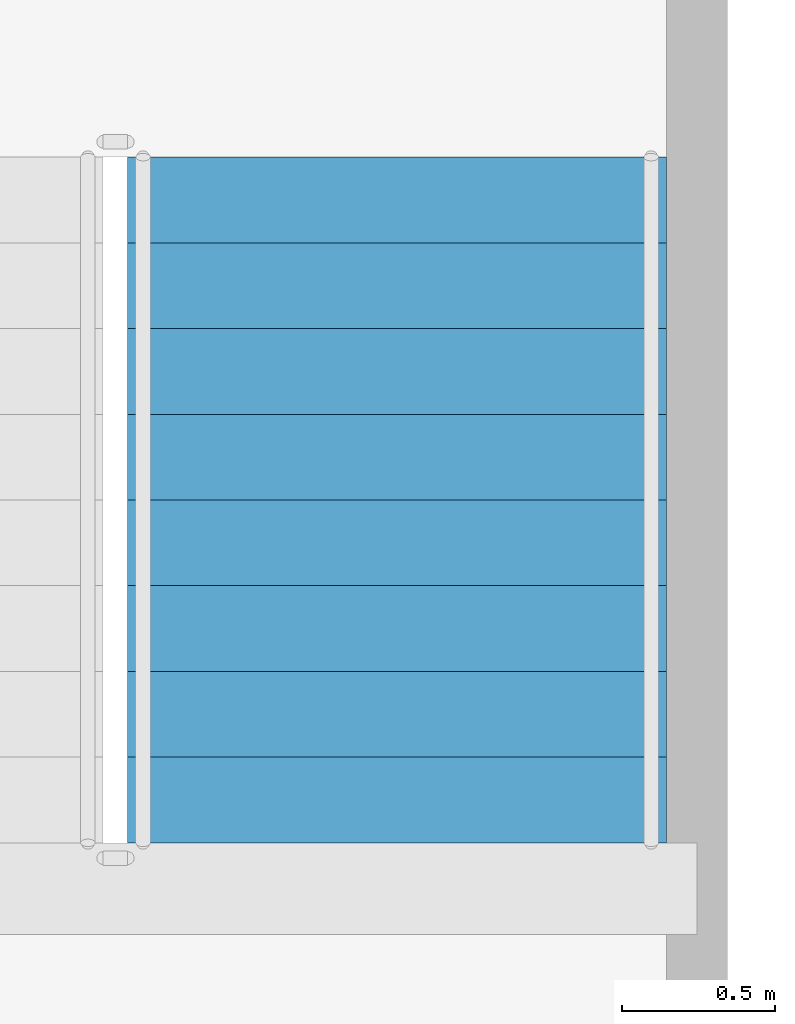
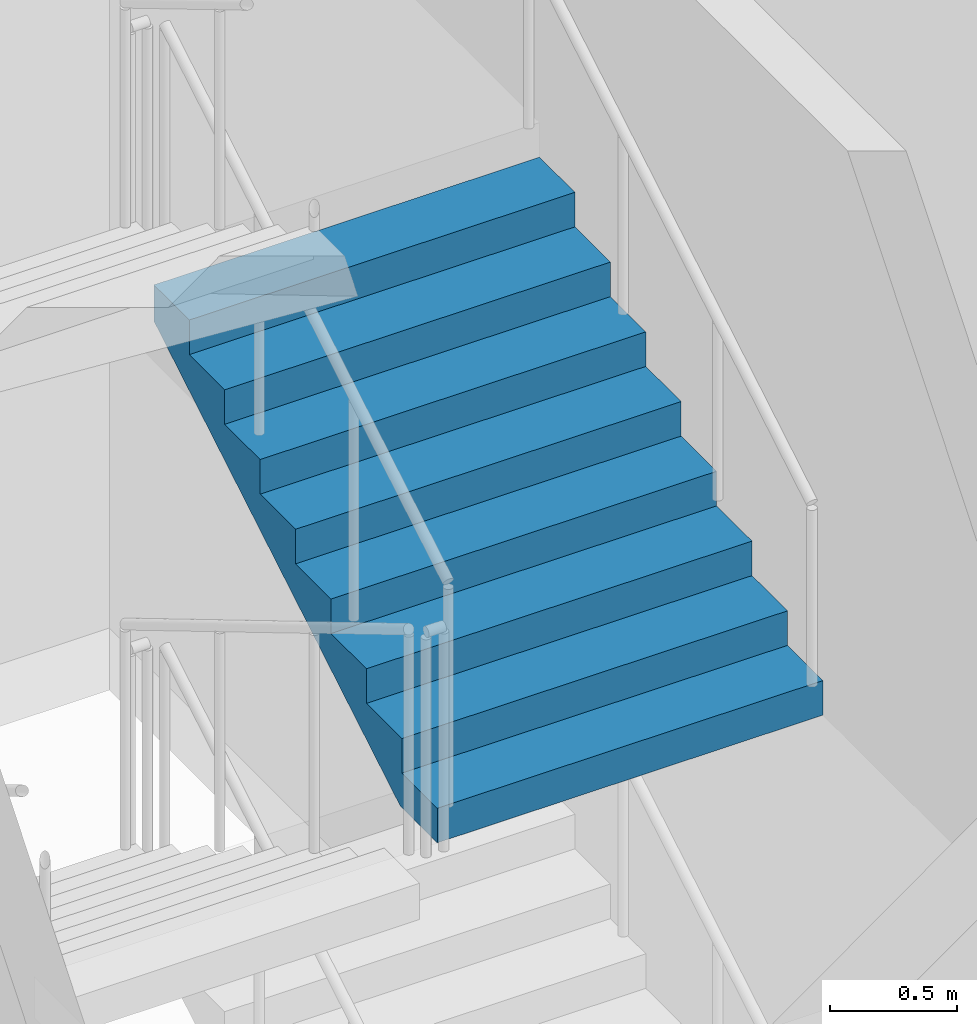
# One storey, part 27 of 33: 1 stair flight, 1 element without a shape of its own.
"""IFC4 building model written with IfcOpenShell, lengths in metres."""

from ifc_helpers import new_model, si_unit, direction, frame, origin, place, context, subcontext, project, spatial, faceted_brep, material, type_object, element, aggregate, save


model = new_model("IFC4")

# Units and contexts
model_context = context("Model", 3, precision=1e-05, world=origin(), true_north=direction((0.0, 1.0)))
body_context = subcontext(model_context, "Body", "Model", "MODEL_VIEW")
ifc_project = project(units=[si_unit("LENGTHUNIT", "METRE"), si_unit("AREAUNIT", "SQUARE_METRE"), si_unit("VOLUMEUNIT", "CUBIC_METRE"), si_unit("PLANEANGLEUNIT", "RADIAN"), si_unit("MASSUNIT", "GRAM", prefix="KILO")], contexts=[model_context])

# Site, building, storey
site_placement = place(None, origin())
site = spatial("IfcSite", under=ifc_project, at=site_placement, CompositionType="ELEMENT")
building_placement = place(site_placement, origin())
building = spatial("IfcBuilding", under=site, at=building_placement, Name="Tarsis Ring Headquarters", CompositionType="ELEMENT")
storey_placement = place(building_placement, frame((0.0, 0.0, 302.0)))
storey = spatial("IfcBuildingStorey", under=building, at=storey_placement, Name="L71", CompositionType="ELEMENT", Elevation=302.0)

# Stair, stair flight
ifc_material_1 = material(Name="Core stair 1760")
stair_type = type_object("IfcStairType", Name="Core stair 1760", PredefinedType="HALF_TURN_STAIR", material=ifc_material_1)
stair_placement = place(storey_placement, origin())
stair = element("IfcStair", 1, at=stair_placement, inside=storey, type_object=stair_type, Name="L71 Exit stair B", PredefinedType="HALF_TURN_STAIR")
ifc_material_2 = material(Name="Concrete C40/50", Category="concrete")
stair_flight_type = type_object("IfcStairFlightType", Name="Core stair flight 1760", PredefinedType="STRAIGHT", material=ifc_material_2)
stair_flight_placement = place(storey_placement, frame((5.419921875, 3.659912109375, 3.0), z_axis=(0.0, 0.0, 1.0), x_axis=(0.0, 1.0, 0.0)))
stair_flight = element("IfcStairFlight", 2, at=stair_flight_placement, type_object=stair_flight_type, Name="Stair ST2 flight 3", NumberOfRisers=9, NumberOfTreads=8, PredefinedType="STRAIGHT", RiserHeight=0.166666667, TreadLength=0.28, context=body_context, shape_type="Brep", body=[
    faceted_brep([(0.0, 0.8798828125, 0.0), (0.0, 0.8798828125, 0.166748046875), (0.280029296875, 0.8798828125, 0.166748046875), (0.280029296875, 0.8798828125, 0.333251953125), (0.56005859375, 0.8798828125, 0.333251953125), (0.56005859375, 0.8798828125, 0.5), (0.840087890625, 0.8798828125, 0.5), (0.840087890625, 0.8798828125, 0.666748046875), (1.1201171875, 0.8798828125, 0.666748046875), (1.1201171875, 0.8798828125, 0.833251953125), (1.39990234375, 0.8798828125, 0.833251953125), (1.39990234375, 0.8798828125, 1.0), (1.679931640625, 0.8798828125, 1.0), (1.679931640625, 0.8798828125, 1.166748046875), (1.9599609375, 0.8798828125, 1.166748046875), (1.9599609375, 0.8798828125, 1.333251953125), (2.239990234375, 0.8798828125, 1.333251953125), (2.239990234375, 0.8798828125, 1.158935546875), (0.29296875, 0.8798828125, 0.0), (0.29296875, -0.8798828125, 0.0), (2.239990234375, -0.8798828125, 1.158935546875), (2.239990234375, -0.8798828125, 1.333251953125), (1.9599609375, -0.8798828125, 1.333251953125), (1.9599609375, -0.8798828125, 1.166748046875), (1.679931640625, -0.8798828125, 1.166748046875), (1.679931640625, -0.8798828125, 1.0), (1.39990234375, -0.8798828125, 1.0), (1.39990234375, -0.8798828125, 0.833251953125), (1.1201171875, -0.8798828125, 0.833251953125), (1.1201171875, -0.8798828125, 0.666748046875), (0.840087890625, -0.8798828125, 0.666748046875), (0.840087890625, -0.8798828125, 0.5), (0.56005859375, -0.8798828125, 0.5), (0.56005859375, -0.8798828125, 0.333251953125), (0.280029296875, -0.8798828125, 0.333251953125), (0.280029296875, -0.8798828125, 0.166748046875), (0.0, -0.8798828125, 0.166748046875), (0.0, -0.8798828125, 0.0), (0.0, -0.43994140625, 0.166748046875), (0.0, -0.43994140625, 0.0), (0.0, 0.0, 0.166748046875), (0.0, 0.0, 0.0), (0.0, 0.43994140625, 0.166748046875), (0.0, 0.43994140625, 0.0), (0.280029296875, -0.43994140625, 0.166748046875), (0.280029296875, 0.0, 0.166748046875), (0.280029296875, 0.43994140625, 0.166748046875), (0.280029296875, -0.43994140625, 0.333251953125), (0.280029296875, 0.0, 0.333251953125), (0.280029296875, 0.43994140625, 0.333251953125), (0.56005859375, -0.43994140625, 0.333251953125), (0.56005859375, 0.0, 0.333251953125), (0.56005859375, 0.43994140625, 0.333251953125), (0.56005859375, -0.43994140625, 0.5), (0.56005859375, 0.0, 0.5), (0.56005859375, 0.43994140625, 0.5), (0.840087890625, -0.43994140625, 0.5), (0.840087890625, 0.0, 0.5), (0.840087890625, 0.43994140625, 0.5), (0.840087890625, -0.43994140625, 0.666748046875), (0.840087890625, 0.0, 0.666748046875), (0.840087890625, 0.43994140625, 0.666748046875), (1.1201171875, -0.43994140625, 0.666748046875), (1.1201171875, 0.0, 0.666748046875), (1.1201171875, 0.43994140625, 0.666748046875), (1.1201171875, -0.43994140625, 0.833251953125), (1.1201171875, 0.0, 0.833251953125), (1.1201171875, 0.43994140625, 0.833251953125), (1.39990234375, -0.43994140625, 0.833251953125), (1.39990234375, 0.0, 0.833251953125), (1.39990234375, 0.43994140625, 0.833251953125), (1.39990234375, -0.43994140625, 1.0), (1.39990234375, 0.0, 1.0), (1.39990234375, 0.43994140625, 1.0), (1.679931640625, -0.43994140625, 1.0), (1.679931640625, 0.0, 1.0), (1.679931640625, 0.43994140625, 1.0), (1.679931640625, -0.43994140625, 1.166748046875), (1.679931640625, 0.0, 1.166748046875), (1.679931640625, 0.43994140625, 1.166748046875), (1.9599609375, -0.43994140625, 1.166748046875), (1.9599609375, 0.0, 1.166748046875), (1.9599609375, 0.43994140625, 1.166748046875), (1.9599609375, -0.43994140625, 1.333251953125), (1.9599609375, 0.0, 1.333251953125), (1.9599609375, 0.43994140625, 1.333251953125), (2.239990234375, -0.43994140625, 1.333251953125), (2.239990234375, 0.0, 1.333251953125), (2.239990234375, 0.43994140625, 1.333251953125), (2.239990234375, -0.43994140625, 1.158935546875), (2.239990234375, 0.0, 1.158935546875), (2.239990234375, 0.43994140625, 1.158935546875), (0.29296875, -0.43994140625, 0.0), (0.29296875, 0.0, 0.0), (0.29296875, 0.43994140625, 0.0)], [[[0, 1, 2, 3, 4, 5, 6, 7, 8, 9, 10, 11, 12, 13, 14, 15, 16, 17, 18]], [[19, 20, 21, 22, 23, 24, 25, 26, 27, 28, 29, 30, 31, 32, 33, 34, 35, 36, 37]], [[37, 36, 38, 39]], [[39, 38, 40, 41]], [[41, 40, 42, 43]], [[43, 42, 1, 0]], [[36, 35, 44, 38]], [[38, 44, 45, 40]], [[40, 45, 46, 42]], [[42, 46, 2, 1]], [[35, 34, 47, 44]], [[44, 47, 48, 45]], [[45, 48, 49, 46]], [[46, 49, 3, 2]], [[34, 33, 50, 47]], [[47, 50, 51, 48]], [[48, 51, 52, 49]], [[49, 52, 4, 3]], [[33, 32, 53, 50]], [[50, 53, 54, 51]], [[51, 54, 55, 52]], [[52, 55, 5, 4]], [[32, 31, 56, 53]], [[53, 56, 57, 54]], [[54, 57, 58, 55]], [[55, 58, 6, 5]], [[31, 30, 59, 56]], [[56, 59, 60, 57]], [[57, 60, 61, 58]], [[58, 61, 7, 6]], [[30, 29, 62, 59]], [[59, 62, 63, 60]], [[60, 63, 64, 61]], [[61, 64, 8, 7]], [[29, 28, 65, 62]], [[62, 65, 66, 63]], [[63, 66, 67, 64]], [[64, 67, 9, 8]], [[28, 27, 68, 65]], [[65, 68, 69, 66]], [[66, 69, 70, 67]], [[67, 70, 10, 9]], [[27, 26, 71, 68]], [[68, 71, 72, 69]], [[69, 72, 73, 70]], [[70, 73, 11, 10]], [[26, 25, 74, 71]], [[71, 74, 75, 72]], [[72, 75, 76, 73]], [[73, 76, 12, 11]], [[25, 24, 77, 74]], [[74, 77, 78, 75]], [[75, 78, 79, 76]], [[76, 79, 13, 12]], [[24, 23, 80, 77]], [[77, 80, 81, 78]], [[78, 81, 82, 79]], [[79, 82, 14, 13]], [[23, 22, 83, 80]], [[80, 83, 84, 81]], [[81, 84, 85, 82]], [[82, 85, 15, 14]], [[22, 21, 86, 83]], [[83, 86, 87, 84]], [[84, 87, 88, 85]], [[85, 88, 16, 15]], [[21, 20, 89, 86]], [[86, 89, 90, 87]], [[87, 90, 91, 88]], [[88, 91, 17, 16]], [[20, 19, 92, 89]], [[89, 92, 93, 90]], [[90, 93, 94, 91]], [[91, 94, 18, 17]], [[19, 37, 39, 92]], [[92, 39, 41, 93]], [[93, 41, 43, 94]], [[94, 43, 0, 18]]]),
])
aggregate(stair, [stair_flight])

save(model, "model.ifc")
